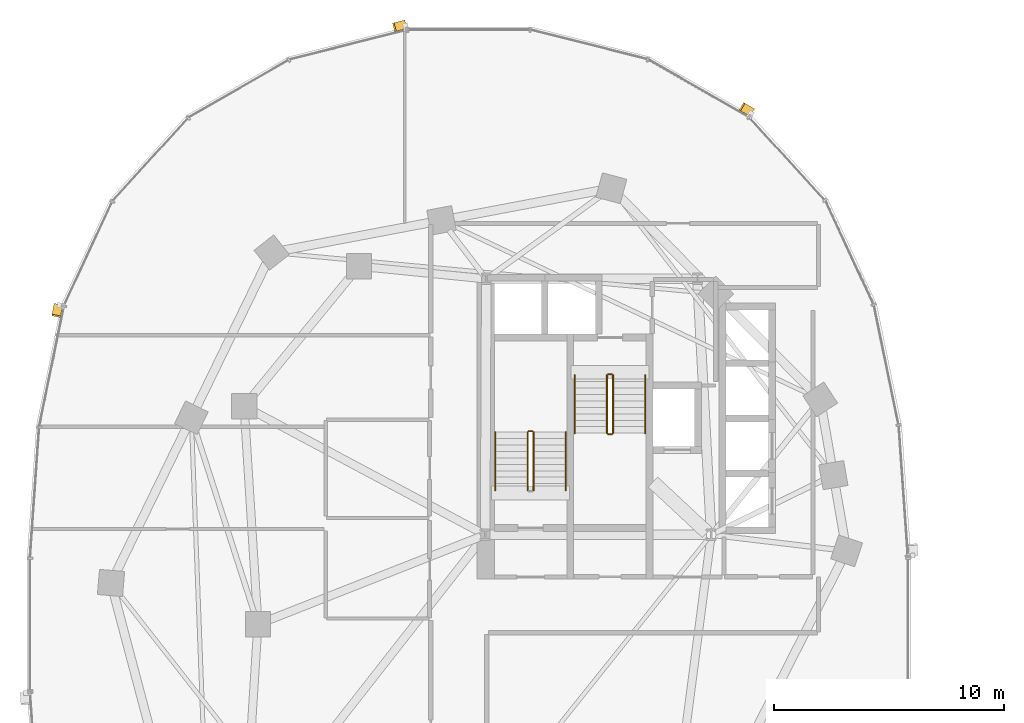
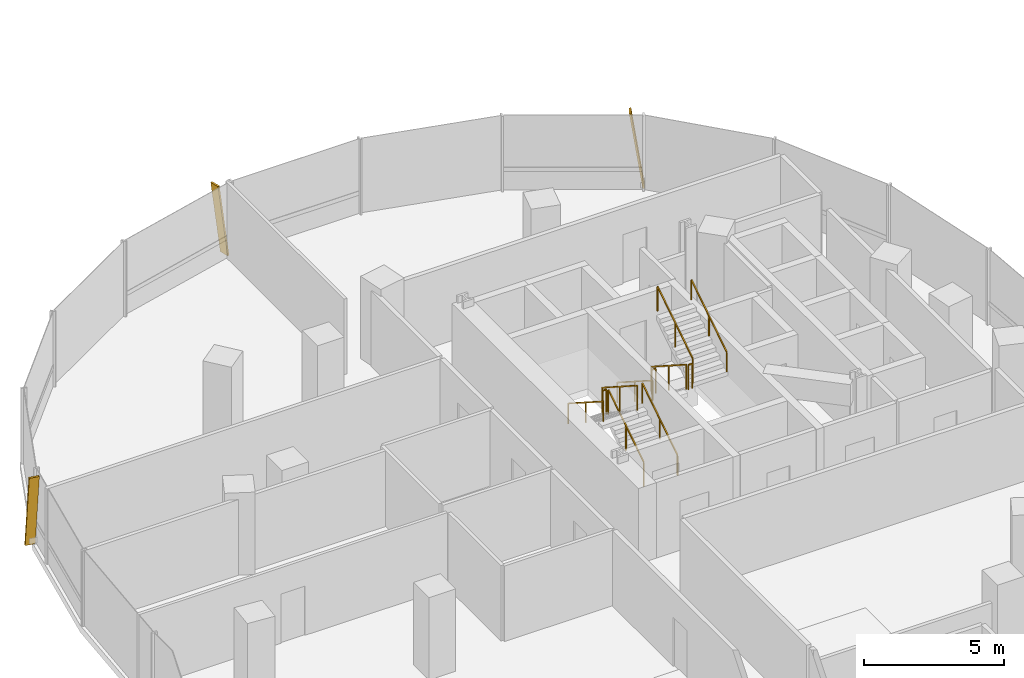
# One storey, part 19 of 21: 11 railings, 3 shading devices.
"""IFC4 building model written with IfcOpenShell, lengths in metres."""

from ifc_helpers import new_model, si_unit, direction, frame, origin, origin_2d, place, context, subcontext, project, spatial, rectangle, extrude, material, material_profile, profile_set, type_object, element, save


model = new_model("IFC4")

# Units and contexts
model_context = context("Model", 3, precision=1e-05, world=origin(), true_north=direction((0.0, 1.0)))
body_context = subcontext(model_context, "Body", "Model", "MODEL_VIEW")
ifc_project = project(units=[si_unit("LENGTHUNIT", "METRE"), si_unit("AREAUNIT", "SQUARE_METRE"), si_unit("VOLUMEUNIT", "CUBIC_METRE"), si_unit("PLANEANGLEUNIT", "RADIAN"), si_unit("MASSUNIT", "GRAM", prefix="KILO"), si_unit("THERMODYNAMICTEMPERATUREUNIT", "KELVIN"), si_unit("POWERUNIT", "WATT")], contexts=[model_context])

# Site, building, storey
site_placement = place(None, origin())
site = spatial("IfcSite", under=ifc_project, at=site_placement, CompositionType="ELEMENT")
building_placement = place(site_placement, origin())
building = spatial("IfcBuilding", under=site, at=building_placement, Name="Cundina Bronze Exchange", CompositionType="ELEMENT")
storey_placement = place(building_placement, frame((0.0, 0.0, 103.39990234375)))
storey = spatial("IfcBuildingStorey", under=building, at=storey_placement, Name="L26", CompositionType="ELEMENT", Elevation=103.39990234375)

# Railings
ifc_material_1 = material(Name="Steel ASTM A36 Painted", Category="steel")
railing_type_1 = type_object("IfcRailingType", Name="RLG-HND-900", PredefinedType="HANDRAIL", material=ifc_material_1)
railing_1_placement = place(storey_placement, frame((-27.7900390625, 5.85009765625, 0.18017578125)))
element("IfcRailing", 1, at=railing_1_placement, inside=storey, type_object=railing_type_1, Name="L26 ST-W1 stair handrail 1", PredefinedType="HANDRAIL", context=body_context, shape_type="SweptSolid", body=[
    extrude(rectangle(XDim=0.048095703125, YDim=0.048095703125, at=origin_2d()), frame((0.0, 0.0, 0.8759765625), z_axis=(0.0, 0.841199657755, 0.540724639528), x_axis=(-1.0, 0.0, 0.0)), (0.0, 0.0, 1.0), 2.995849609375),
    extrude(rectangle(XDim=0.0419921875, YDim=0.0419921875, at=origin_2d()), origin(), (0.0, 0.0, 1.0), 0.851806640625),
    extrude(rectangle(XDim=0.0419921875, YDim=0.0419921875, at=origin_2d()), frame((0.0, 1.260009765625, 0.81005859375)), (0.0, 0.0, 1.0), 0.851806640625),
    extrude(rectangle(XDim=0.0419921875, YDim=0.0419921875, at=origin_2d()), frame((0.0, 2.52001953125, 1.619873046875)), (0.0, 0.0, 1.0), 0.851806640625),
])
railing_2_placement = place(storey_placement, frame((-30.85009765625, 8.3701171875, 1.97998046875)))
element("IfcRailing", 2, at=railing_2_placement, inside=storey, type_object=railing_type_1, Name="L26 ST-W1 stair handrail 2", PredefinedType="HANDRAIL", context=body_context, shape_type="SweptSolid", body=[
    extrude(rectangle(XDim=0.048095703125, YDim=0.048095703125, at=origin_2d()), frame((0.0, 0.0, 0.8759765625), z_axis=(0.0, -0.841162588446, 0.540782303519), x_axis=(1.0, 0.0, 0.0)), (0.0, 0.0, 1.0), 2.995849609375),
    extrude(rectangle(XDim=0.0419921875, YDim=0.0419921875, at=origin_2d()), origin(), (0.0, 0.0, 1.0), 0.851806640625),
    extrude(rectangle(XDim=0.0419921875, YDim=0.0419921875, at=origin_2d()), frame((0.0, -1.260009765625, 0.81005859375)), (0.0, 0.0, 1.0), 0.851806640625),
    extrude(rectangle(XDim=0.0419921875, YDim=0.0419921875, at=origin_2d()), frame((0.0, -2.52001953125, 1.6201171875)), (0.0, 0.0, 1.0), 0.851806640625),
])
railing_3_placement = place(storey_placement, frame((-27.389892578125, 10.85009765625, 0.18017578125)))
element("IfcRailing", 3, at=railing_3_placement, inside=storey, type_object=railing_type_1, Name="L26 ST-W2 stair handrail 1", PredefinedType="HANDRAIL", context=body_context, shape_type="SweptSolid", body=[
    extrude(rectangle(XDim=0.048095703125, YDim=0.048095703125, at=origin_2d()), frame((0.0, 0.0, 0.8759765625), z_axis=(0.0, -0.841199657755, 0.540724639528), x_axis=(1.0, 0.0, 0.0)), (0.0, 0.0, 1.0), 2.995849609375),
    extrude(rectangle(XDim=0.0419921875, YDim=0.0419921875, at=origin_2d()), origin(), (0.0, 0.0, 1.0), 0.851806640625),
    extrude(rectangle(XDim=0.0419921875, YDim=0.0419921875, at=origin_2d()), frame((0.0, -1.260009765625, 0.81005859375)), (0.0, 0.0, 1.0), 0.851806640625),
    extrude(rectangle(XDim=0.0419921875, YDim=0.0419921875, at=origin_2d()), frame((0.0, -2.52001953125, 1.619873046875)), (0.0, 0.0, 1.0), 0.851806640625),
])
railing_4_placement = place(storey_placement, frame((-24.330078125, 8.330078125, 1.97998046875)))
element("IfcRailing", 4, at=railing_4_placement, inside=storey, type_object=railing_type_1, Name="L26 ST-W2 stair handrail 2", PredefinedType="HANDRAIL", context=body_context, shape_type="SweptSolid", body=[
    extrude(rectangle(XDim=0.048095703125, YDim=0.048095703125, at=origin_2d()), frame((0.0, 0.0, 0.8759765625), z_axis=(0.0, 0.841162588446, 0.540782303519), x_axis=(-1.0, 0.0, 0.0)), (0.0, 0.0, 1.0), 2.995849609375),
    extrude(rectangle(XDim=0.0419921875, YDim=0.0419921875, at=origin_2d()), origin(), (0.0, 0.0, 1.0), 0.851806640625),
    extrude(rectangle(XDim=0.0419921875, YDim=0.0419921875, at=origin_2d()), frame((0.0, 1.260009765625, 0.81005859375)), (0.0, 0.0, 1.0), 0.851806640625),
    extrude(rectangle(XDim=0.0419921875, YDim=0.0419921875, at=origin_2d()), frame((0.0, 2.52001953125, 1.6201171875)), (0.0, 0.0, 1.0), 0.851806640625),
])
railing_type_2 = type_object("IfcRailingType", Name="RLG-STG-1100", PredefinedType="GUARDRAIL", material=ifc_material_1)
railing_5_placement = place(storey_placement, frame((-29.18994140625, 5.85009765625, 0.18017578125)))
element("IfcRailing", 5, at=railing_5_placement, inside=storey, type_object=railing_type_2, Name="L26 ST-W1 stair guard 1", PredefinedType="GUARDRAIL", context=body_context, shape_type="SweptSolid", body=[
    extrude(rectangle(XDim=0.048095703125, YDim=0.048095703125, at=origin_2d()), frame((0.0, 0.0, 1.076171875), z_axis=(0.0, 0.841199657755, 0.540724639528), x_axis=(-1.0, 0.0, 0.0)), (0.0, 0.0, 1.0), 2.995849609375),
    extrude(rectangle(XDim=0.0419921875, YDim=0.0419921875, at=origin_2d()), origin(), (0.0, 0.0, 1.0), 1.052001953125),
    extrude(rectangle(XDim=0.0419921875, YDim=0.0419921875, at=origin_2d()), frame((0.0, 1.260009765625, 0.81005859375)), (0.0, 0.0, 1.0), 1.052001953125),
    extrude(rectangle(XDim=0.0419921875, YDim=0.0419921875, at=origin_2d()), frame((0.0, 2.52001953125, 1.619873046875)), (0.0, 0.0, 1.0), 1.052001953125),
])
railing_6_placement = place(storey_placement, frame((-29.239990234375, 8.419921875, 1.800048828125)))
element("IfcRailing", 6, at=railing_6_placement, inside=storey, type_object=railing_type_2, Name="L26 ST-W1 stair guard 2", PredefinedType="GUARDRAIL", context=body_context, shape_type="SweptSolid", body=[
    extrude(rectangle(XDim=0.048095703125, YDim=0.048095703125, at=origin_2d()), frame((0.0, 0.0, 1.076171875), z_axis=(-1.0, 0.0, 0.0), x_axis=(0.0, -1.0, 0.0)), (0.0, 0.0, 1.0), 0.159912109375),
    extrude(rectangle(XDim=0.0419921875, YDim=0.0419921875, at=origin_2d()), origin(), (0.0, 0.0, 1.0), 1.052001953125),
    extrude(rectangle(XDim=0.0419921875, YDim=0.0419921875, at=origin_2d()), frame((-0.159912109375, 0.0, 0.0)), (0.0, 0.0, 1.0), 1.052001953125),
])
railing_7_placement = place(storey_placement, frame((-29.449951171875, 8.3701171875, 1.97998046875)))
element("IfcRailing", 7, at=railing_7_placement, inside=storey, type_object=railing_type_2, Name="L26 ST-W1 stair guard 3", PredefinedType="GUARDRAIL", context=body_context, shape_type="SweptSolid", body=[
    extrude(rectangle(XDim=0.048095703125, YDim=0.048095703125, at=origin_2d()), frame((0.0, 0.0, 1.076171875), z_axis=(0.0, -0.841162588446, 0.540782303519), x_axis=(1.0, 0.0, 0.0)), (0.0, 0.0, 1.0), 2.995849609375),
    extrude(rectangle(XDim=0.0419921875, YDim=0.0419921875, at=origin_2d()), origin(), (0.0, 0.0, 1.0), 1.052001953125),
    extrude(rectangle(XDim=0.0419921875, YDim=0.0419921875, at=origin_2d()), frame((0.0, -1.260009765625, 0.81005859375)), (0.0, 0.0, 1.0), 1.052001953125),
    extrude(rectangle(XDim=0.0419921875, YDim=0.0419921875, at=origin_2d()), frame((0.0, -2.52001953125, 1.6201171875)), (0.0, 0.0, 1.0), 1.052001953125),
])
railing_8_placement = place(storey_placement, frame((-25.989990234375, 10.85009765625, 0.18017578125)))
element("IfcRailing", 8, at=railing_8_placement, inside=storey, type_object=railing_type_2, Name="L26 ST-W2 stair guard 1", PredefinedType="GUARDRAIL", context=body_context, shape_type="SweptSolid", body=[
    extrude(rectangle(XDim=0.048095703125, YDim=0.048095703125, at=origin_2d()), frame((0.0, 0.0, 1.076171875), z_axis=(0.0, -0.841199657755, 0.540724639528), x_axis=(1.0, 0.0, 0.0)), (0.0, 0.0, 1.0), 2.995849609375),
    extrude(rectangle(XDim=0.0419921875, YDim=0.0419921875, at=origin_2d()), origin(), (0.0, 0.0, 1.0), 1.052001953125),
    extrude(rectangle(XDim=0.0419921875, YDim=0.0419921875, at=origin_2d()), frame((0.0, -1.260009765625, 0.81005859375)), (0.0, 0.0, 1.0), 1.052001953125),
    extrude(rectangle(XDim=0.0419921875, YDim=0.0419921875, at=origin_2d()), frame((0.0, -2.52001953125, 1.619873046875)), (0.0, 0.0, 1.0), 1.052001953125),
])
railing_9_placement = place(storey_placement, frame((-25.93994140625, 8.280029296875, 1.800048828125)))
element("IfcRailing", 9, at=railing_9_placement, inside=storey, type_object=railing_type_2, Name="L26 ST-W2 stair guard 2", PredefinedType="GUARDRAIL", context=body_context, shape_type="SweptSolid", body=[
    extrude(rectangle(XDim=0.048095703125, YDim=0.048095703125, at=origin_2d()), frame((0.0, 0.0, 1.076171875), z_axis=(1.0, 0.0, 0.0), x_axis=(0.0, 1.0, 0.0)), (0.0, 0.0, 1.0), 0.159912109375),
    extrude(rectangle(XDim=0.0419921875, YDim=0.0419921875, at=origin_2d()), origin(), (0.0, 0.0, 1.0), 1.052001953125),
    extrude(rectangle(XDim=0.0419921875, YDim=0.0419921875, at=origin_2d()), frame((0.159912109375, 0.0, 0.0)), (0.0, 0.0, 1.0), 1.052001953125),
])
railing_10_placement = place(storey_placement, frame((-25.72998046875, 8.330078125, 1.97998046875)))
element("IfcRailing", 10, at=railing_10_placement, inside=storey, type_object=railing_type_2, Name="L26 ST-W2 stair guard 3", PredefinedType="GUARDRAIL", context=body_context, shape_type="SweptSolid", body=[
    extrude(rectangle(XDim=0.048095703125, YDim=0.048095703125, at=origin_2d()), frame((0.0, 0.0, 1.076171875), z_axis=(0.0, 0.841162588446, 0.540782303519), x_axis=(-1.0, 0.0, 0.0)), (0.0, 0.0, 1.0), 2.995849609375),
    extrude(rectangle(XDim=0.0419921875, YDim=0.0419921875, at=origin_2d()), origin(), (0.0, 0.0, 1.0), 1.052001953125),
    extrude(rectangle(XDim=0.0419921875, YDim=0.0419921875, at=origin_2d()), frame((0.0, 1.260009765625, 0.81005859375)), (0.0, 0.0, 1.0), 1.052001953125),
    extrude(rectangle(XDim=0.0419921875, YDim=0.0419921875, at=origin_2d()), frame((0.0, 2.52001953125, 1.6201171875)), (0.0, 0.0, 1.0), 1.052001953125),
])
railing_11_placement = place(storey_placement, frame((-25.93994140625, 10.89990234375, 0.0)))
element("IfcRailing", 11, at=railing_11_placement, inside=storey, type_object=railing_type_2, Name="L26 ST-W2 stair guard 4", PredefinedType="GUARDRAIL", context=body_context, shape_type="SweptSolid", body=[
    extrude(rectangle(XDim=0.048095703125, YDim=0.048095703125, at=origin_2d()), frame((0.0, 0.0, 1.076171875), z_axis=(1.0, 0.0, 0.0), x_axis=(0.0, 1.0, 0.0)), (0.0, 0.0, 1.0), 0.159912109375),
    extrude(rectangle(XDim=0.0419921875, YDim=0.0419921875, at=origin_2d()), origin(), (0.0, 0.0, 1.0), 1.052001953125),
    extrude(rectangle(XDim=0.0419921875, YDim=0.0419921875, at=origin_2d()), frame((0.159912109375, 0.0, 0.0)), (0.0, 0.0, 1.0), 1.052001953125),
])

# Shading devices
ifc_material_2 = material(Name="Anodised Bronze Aluminium 6063-T6", Category="aluminium")
ifc_material_profile = material_profile(ifc_material_2, rectangle(XDim=0.070068359375, YDim=0.3798828125, at=origin_2d()), Name="FIN70X380", Category="aluminium")
ifc_profile_set = profile_set([ifc_material_profile], Name="Anodised Bronze Aluminium 6063-T6")
shading_device_type = type_object("IfcShadingDeviceType", Name="SHD-FIN-BRZ380", PredefinedType="USERDEFINED", material=ifc_profile_set)
for number, where, z_axis, x_axis, name in (
    (12, (-19.685791015625, 22.314208984375, 0.02001953125), (-0.126324692219, 0.072534823274, 0.989333498649), (0.857958278167, -0.492634108109, 0.145668213594), "L26 Diagonal Bronze Solar Fin 5"),
    (13, (-34.787353515625, 26.138427734375, 0.02001953125), (-0.141217047268, -0.035711761166, 0.989334329575), (0.95914051701, 0.242552848478, 0.145662570088), "L26 Diagonal Bronze Solar Fin 1"),
    (14, (-49.89599609375, 13.911865234375, 0.02001953125), (-0.029413888538, -0.142698109128, 0.989329102378), (0.199728220342, 0.968958570224, 0.145698068578), "L26 Diagonal Bronze Solar Fin 5"),
):
    element("IfcShadingDevice", number, at=place(storey_placement, frame(where, z_axis=z_axis, x_axis=x_axis)), inside=storey, type_object=shading_device_type, Name=name, ObjectType="FIN", PredefinedType="USERDEFINED", context=body_context, shape_type="SweptSolid", body=[
        extrude(rectangle(XDim=0.070068359375, YDim=0.3798828125, at=origin_2d()), origin(), (0.0, 0.0, 1.0), 3.295166015625),
    ])

save(model, "model.ifc")
